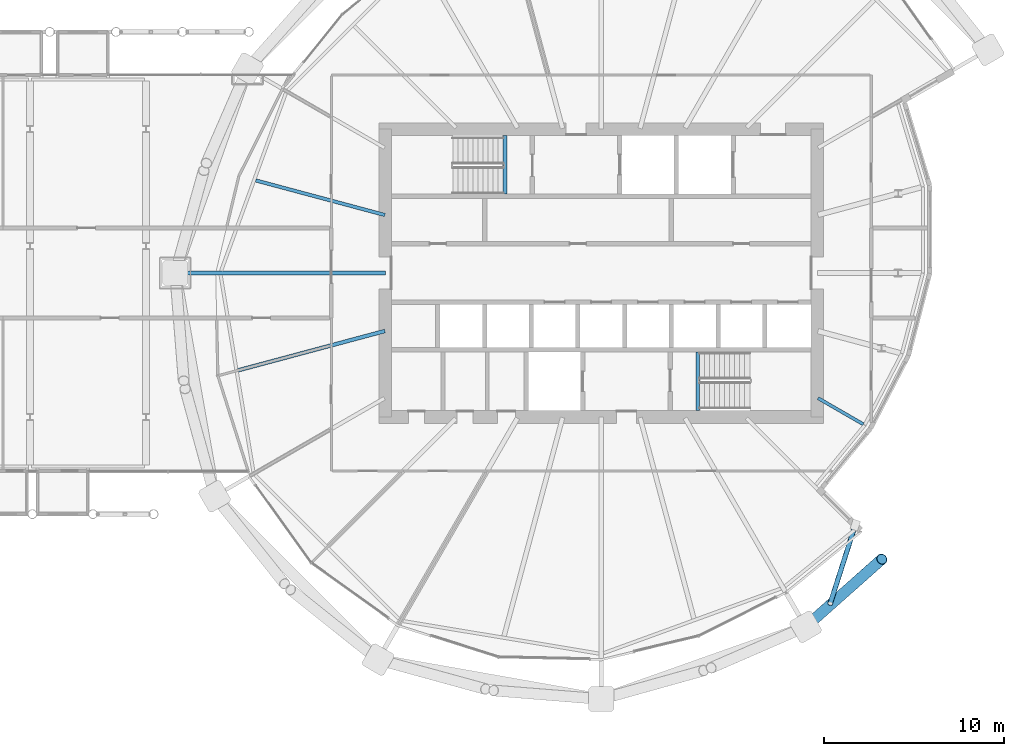
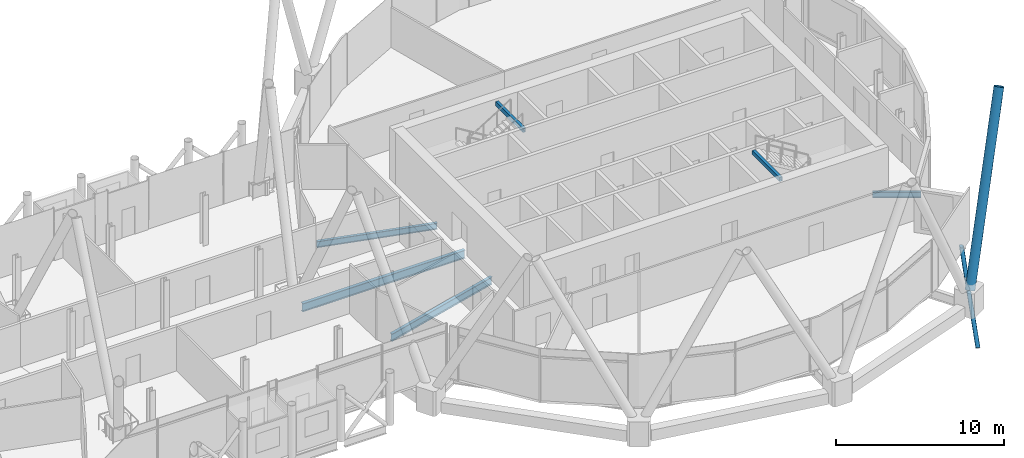
# One storey, part 15 of 35: 6 beams, 2 members.
"""IFC4 building model written with IfcOpenShell, lengths in metres."""

from ifc_helpers import new_model, si_unit, direction, frame, origin, origin_2d, place, context, subcontext, project, spatial, hollow_rectangle, hollow_circle, i_section, extrude, clip, halfspace, material, material_profile, profile_set, type_object, element, save


model = new_model("IFC4")

# Units and contexts
model_context = context("Model", 3, precision=1e-05, world=origin(), true_north=direction((0.0, 1.0)))
body_context = subcontext(model_context, "Body", "Model", "MODEL_VIEW")
ifc_project = project(units=[si_unit("LENGTHUNIT", "METRE"), si_unit("AREAUNIT", "SQUARE_METRE"), si_unit("VOLUMEUNIT", "CUBIC_METRE"), si_unit("PLANEANGLEUNIT", "RADIAN"), si_unit("MASSUNIT", "GRAM", prefix="KILO")], contexts=[model_context])

# Site, building, storey
site_placement = place(None, origin())
site = spatial("IfcSite", under=ifc_project, at=site_placement, CompositionType="ELEMENT")
building_placement = place(site_placement, origin())
building = spatial("IfcBuilding", under=site, at=building_placement, Name="Rimbun Link Towers", CompositionType="ELEMENT")
storey_placement = place(building_placement, frame((0.0, 0.0, 146.800048828125)))
storey = spatial("IfcBuildingStorey", under=building, at=storey_placement, Name="L35", CompositionType="ELEMENT", Elevation=146.800048828125)

# Members
ifc_material_1 = material(Name="Steel S355J2H", Category="steel")
ifc_material_profile_1 = material_profile(ifc_material_1, hollow_circle(Radius=0.3046875, WallThickness=0.02490234375, at=origin_2d()), Name="Diagrid diagonal CHS 610x25")
ifc_profile_set_1 = profile_set([ifc_material_profile_1], Name="Steel S355J2H")
member_type_1 = type_object("IfcMemberType", Name="Diagrid diagonal CHS 610x25", PredefinedType="BRACE", material=ifc_profile_set_1)
member_1_placement = place(storey_placement, frame((43.26611328125, -19.517822265625, 0.449462890625), z_axis=(0.327239008275, 0.290371700263, 0.89922127819), x_axis=(-0.663715684922, 0.747984952782, 0.0)))
element("IfcMember", 1, at=member_1_placement, inside=storey, type_object=member_type_1, Name="Diagrid diagonal T2 L35-L38 17b", PredefinedType="BRACE", context=body_context, shape_type="SweptSolid", body=[
    extrude(hollow_circle(Radius=0.3046875, WallThickness=0.02490234375, at=origin_2d()), origin(), (0.0, 0.0, 1.0), 12.456298828125),
])
ifc_material_2 = material(Name="Steel S355J2H", Category="steel")
ifc_material_profile_2 = material_profile(ifc_material_2, hollow_circle(Radius=0.136474609375, WallThickness=0.012451171875, at=origin_2d()), Name="CHS 273x12.5")
ifc_profile_set_2 = profile_set([ifc_material_profile_2], Name="Steel S355J2H")
member_type_2 = type_object("IfcMemberType", Name="Floor edge link CHS 273x12.5", PredefinedType="BRACE", material=ifc_profile_set_2)
member_2_placement = place(storey_placement, frame((45.838134765625, -14.088134765625, -0.73486328125), z_axis=(-0.223750796112, -0.700726869322, -0.677434451331), x_axis=(0.952614090568, -0.304181515629, 0.0)))
element("IfcMember", 2, at=member_2_placement, inside=storey, type_object=member_type_2, Name="Floor edge link T2 L35 18", PredefinedType="BRACE", context=body_context, shape_type="Clipping", body=[
    clip(extrude(hollow_circle(Radius=0.136474609375, WallThickness=0.012451171875, at=origin_2d()), frame((0.0, 0.0, -0.311279296875)), (0.0, 0.0, 1.0), 6.432373046875), halfspace(frame((0.0, 0.0, -0.146728515625), z_axis=(0.0, 0.73558314564, -0.677434451331)), False)),
])

# Beams
ifc_material_3 = material(Name="Steel S355J2", Category="steel")
ifc_material_profile_3 = material_profile(ifc_material_3, hollow_rectangle(XDim=0.199951171875, YDim=0.300048828125, WallThickness=0.011962890625, at=origin_2d()), Name="BOX 300x200x12")
ifc_profile_set_3 = profile_set([ifc_material_profile_3], Name="Steel S355J2")
beam_type_1 = type_object("IfcBeamType", Name="Stair trimmer beam BOX 300x200x12", PredefinedType="BEAM", material=ifc_profile_set_3)
for number, where, z_axis, x_axis, name in (
    (3, (26.39990234375, 7.64990234375, 3.469970703125), (0.0, -1.0, 0.0), (1.0, 0.0, 0.0), "L35 ST3 stair beam 1"),
    (4, (37.10009765625, -7.64990234375, 3.469970703125), (0.0, 1.0, 0.0), (-1.0, 0.0, 0.0), "L35 ST4 stair beam 1"),
):
    element("IfcBeam", number, at=place(storey_placement, frame(where, z_axis=z_axis, x_axis=x_axis)), inside=storey, type_object=beam_type_1, Name=name, PredefinedType="BEAM", context=body_context, shape_type="SweptSolid", body=[
        extrude(hollow_rectangle(XDim=0.199951171875, YDim=0.300048828125, WallThickness=0.011962890625, at=origin_2d()), origin(), (0.0, 0.0, 1.0), 3.25),
    ])
ifc_material_4 = material(Name="Steel S355J2", Category="steel")
ifc_material_profile_4 = material_profile(ifc_material_4, i_section(OverallWidth=0.177978515625, OverallDepth=0.406494140625, WebThickness=0.0078125, FlangeThickness=0.0126953125, at=origin_2d()), Name="UB 406x178x60")
ifc_profile_set_4 = profile_set([ifc_material_profile_4], Name="Steel S355J2")
beam_type_2 = type_object("IfcBeamType", Name="UB 406x178x60", PredefinedType="BEAM", material=ifc_profile_set_4)
beam_1_placement = place(storey_placement, frame((43.79541015625, -6.954345703125, -0.38330078125), z_axis=(0.866024519613, -0.500001531427, 0.0), x_axis=(0.500001531427, 0.866024519613, 0.0)))
element("IfcBeam", 5, at=beam_1_placement, inside=storey, type_object=beam_type_2, Name="Radial beam T2 L35 19", PredefinedType="BEAM", context=body_context, shape_type="SweptSolid", body=[
    extrude(i_section(OverallWidth=0.177978515625, OverallDepth=0.406494140625, WebThickness=0.0078125, FlangeThickness=0.0126953125, at=origin_2d()), origin(), (0.0, 0.0, 1.0), 2.90283203125),
])
ifc_material_5 = material(Name="Steel S355J2", Category="steel")
ifc_material_profile_5 = material_profile(ifc_material_5, i_section(OverallWidth=0.18994140625, OverallDepth=0.453369140625, WebThickness=0.008544921875, FlangeThickness=0.0126953125, at=origin_2d()), Name="UB 457x191x67")
ifc_profile_set_5 = profile_set([ifc_material_profile_5], Name="Steel S355J2")
beam_type_3 = type_object("IfcBeamType", Name="UB 457x191x67", PredefinedType="BEAM", material=ifc_profile_set_5)
beam_2_placement = place(storey_placement, frame((19.724609375, 3.22216796875, -0.40673828125), z_axis=(-0.96592620408, 0.258817635162, 0.0), x_axis=(-0.258817635162, -0.96592620408, 0.0)))
element("IfcBeam", 6, at=beam_2_placement, inside=storey, type_object=beam_type_3, Name="Radial beam T2 L35 08", PredefinedType="BEAM", context=body_context, shape_type="SweptSolid", body=[
    extrude(i_section(OverallWidth=0.18994140625, OverallDepth=0.453369140625, WebThickness=0.008544921875, FlangeThickness=0.0126953125, at=origin_2d()), origin(), (0.0, 0.0, 1.0), 7.43212890625),
])
ifc_material_6 = material(Name="Steel S355J2", Category="steel")
ifc_material_profile_6 = material_profile(ifc_material_6, i_section(OverallWidth=0.209228515625, OverallDepth=0.533203125, WebThickness=0.010009765625, FlangeThickness=0.015625, at=origin_2d()), Name="UB 533x210x92")
ifc_profile_set_6 = profile_set([ifc_material_profile_6], Name="Steel S355J2")
beam_type_4 = type_object("IfcBeamType", Name="UB 533x210x92", PredefinedType="BEAM", material=ifc_profile_set_6)
beam_3_placement = place(storey_placement, frame((19.721923828125, -3.222900390625, -0.446533203125), z_axis=(-0.965926107703, -0.258817994849, 0.0), x_axis=(0.258817994849, -0.965926107703, 0.0)))
element("IfcBeam", 7, at=beam_3_placement, inside=storey, type_object=beam_type_4, Name="Radial beam T2 L35 10", PredefinedType="BEAM", context=body_context, shape_type="SweptSolid", body=[
    extrude(i_section(OverallWidth=0.209228515625, OverallDepth=0.533203125, WebThickness=0.010009765625, FlangeThickness=0.015625, at=origin_2d()), origin(), (0.0, 0.0, 1.0), 8.4423828125),
])
ifc_material_7 = material(Name="Steel S355J2", Category="steel")
ifc_material_profile_7 = material_profile(ifc_material_7, i_section(OverallWidth=0.2275390625, OverallDepth=0.6025390625, WebThickness=0.010498046875, FlangeThickness=0.014892578125, at=origin_2d()), Name="UB 610x229x101")
ifc_profile_set_7 = profile_set([ifc_material_profile_7], Name="Steel S355J2")
beam_type_5 = type_object("IfcBeamType", Name="UB 610x229x101", PredefinedType="BEAM", material=ifc_profile_set_7)
beam_4_placement = place(storey_placement, frame((19.7490234375, 0.0, -0.4814453125), z_axis=(-1.0, 0.0, 0.0), x_axis=(0.0, -1.0, 0.0)))
element("IfcBeam", 8, at=beam_4_placement, inside=storey, type_object=beam_type_5, Name="Radial beam T2 L35 09", PredefinedType="BEAM", context=body_context, shape_type="SweptSolid", body=[
    extrude(i_section(OverallWidth=0.2275390625, OverallDepth=0.6025390625, WebThickness=0.010498046875, FlangeThickness=0.014892578125, at=origin_2d()), origin(), (0.0, 0.0, 1.0), 11.18017578125),
])

save(model, "model.ifc")
